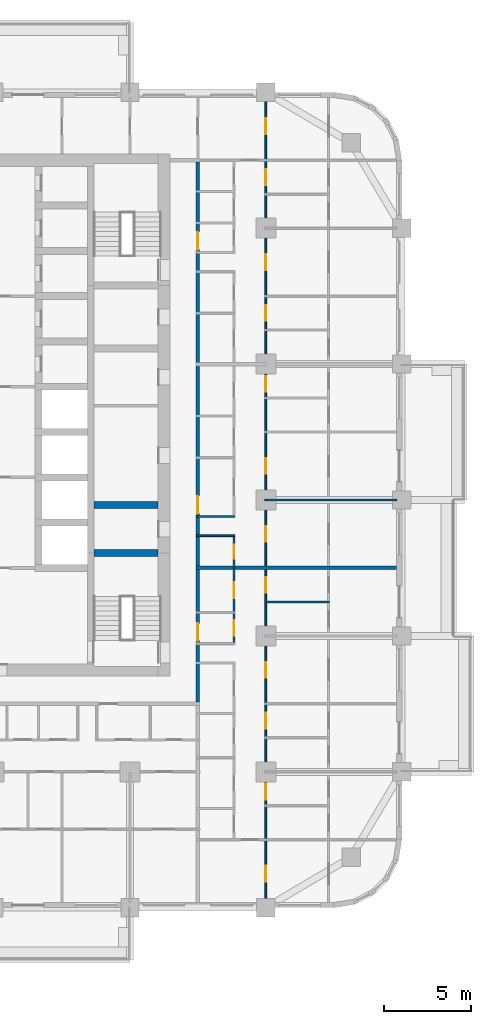
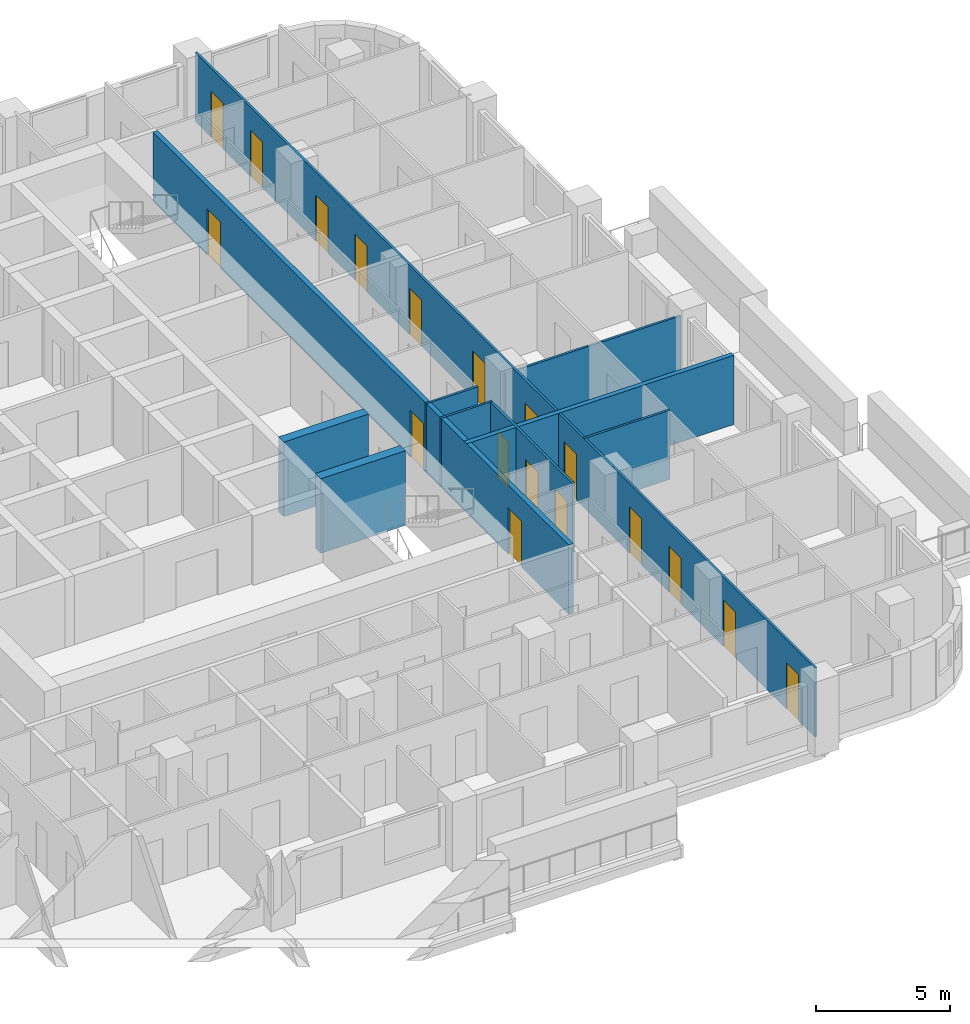
# One storey, part 8 of 17: 18 doors, 10 walls, 18 openings.
"""IFC4 building model written with IfcOpenShell, lengths in metres."""

import ifcopenshell
import ifcopenshell.guid

model = None  # the IFC model being written
_history = None  # IfcOwnerHistory: only IFC2X3 demands one
_inside = {}  # id of a spatial element -> (the spatial element, [elements in it])
_under = {}  # id of a project, library or spatial element -> (it, [spatial elements below it])
_declared = {}  # id of a project -> (the project, [libraries it declares])
_typed = {}  # id of a type object -> (the type object, [elements of that type])
_made_of = {}  # id of a material, layer set ... -> (it, [elements and type objects made of it])


def new_model(schema):
    """Start an empty IFC model of exactly this schema.

    Asked for "IFC4X3", IfcOpenShell would pick the latest addendum, in which some entities
    have other attributes; the version numbers below select the first issue.
    IFC2X3 requires an IfcOwnerHistory on every rooted entity: one is made here for all.
    """
    global model, _history
    if schema == "IFC4X3":
        model = ifcopenshell.file(schema_version=(4, 3, 0, 0))
    else:
        model = ifcopenshell.file(schema=schema)
    _inside.clear()
    _under.clear()
    _declared.clear()
    _typed.clear()
    _made_of.clear()
    _history = None
    if model.schema == "IFC2X3":
        org = make("IfcOrganization", Name="unknown")
        user = make(
            "IfcPersonAndOrganization",
            ThePerson=make("IfcPerson", FamilyName="unknown"),
            TheOrganization=org,
        )
        app = make(
            "IfcApplication",
            ApplicationDeveloper=org,
            Version="unknown",
            ApplicationFullName="unknown",
            ApplicationIdentifier="unknown",
        )
        _history = make(
            "IfcOwnerHistory",
            OwningUser=user,
            OwningApplication=app,
            ChangeAction="ADDED",
            CreationDate=0,
        )
    return model


def make(cls, **values):
    """One entity of the class cls with the attributes given. An attribute that is None is left unset."""
    return model.create_entity(
        cls, **{name: value for name, value in values.items() if value is not None}
    )


def rooted(cls, **values):
    """An entity with a GlobalId (a new one), such as an element, a storey or a relation."""
    return make(cls, GlobalId=ifcopenshell.guid.new(), OwnerHistory=_history, **values)


def si_unit(unit_type, name, prefix=None):
    """IfcSIUnit, for example si_unit("LENGTHUNIT", "METRE", prefix="MILLI")."""
    return make("IfcSIUnit", UnitType=unit_type, Prefix=prefix, Name=name)


def assignment(units):
    """IfcUnitAssignment: the units of a project."""
    return None if units is None else make("IfcUnitAssignment", Units=units)


def point(xyz):
    """IfcCartesianPoint."""
    return None if xyz is None else make("IfcCartesianPoint", Coordinates=xyz)


def direction(xyz):
    """IfcDirection."""
    return None if xyz is None else make("IfcDirection", DirectionRatios=xyz)


def frame(location, z_axis=None, x_axis=None):
    """IfcAxis2Placement3D, a coordinate frame: its origin and axes. An axis left out is left unset."""
    return make(
        "IfcAxis2Placement3D",
        Location=point(location),
        Axis=direction(z_axis),
        RefDirection=direction(x_axis),
    )


def frame_2d(location, x_axis=None):
    """IfcAxis2Placement2D, a coordinate frame in the plane: its origin and x axis."""
    return make(
        "IfcAxis2Placement2D", Location=point(location), RefDirection=direction(x_axis)
    )


def origin():
    """The frame at (0, 0, 0) with its axes left unset."""
    return frame((0.0, 0.0, 0.0))


def place(relative_to, where):
    """IfcLocalPlacement: puts the frame where relative to a parent placement (None: the world)."""
    return make(
        "IfcLocalPlacement", PlacementRelTo=relative_to, RelativePlacement=where
    )


def context(
    kind, dimensions, precision=None, world=None, true_north=None, identifier=None
):
    """IfcGeometricRepresentationContext, for example the 3D "Model" context."""
    return make(
        "IfcGeometricRepresentationContext",
        ContextIdentifier=identifier,
        ContextType=kind,
        CoordinateSpaceDimension=dimensions,
        Precision=precision,
        WorldCoordinateSystem=world,
        TrueNorth=true_north,
    )


def subcontext(parent, identifier, kind, view, scale=None):
    """IfcGeometricRepresentationSubContext, for example "Body" below "Model"."""
    return make(
        "IfcGeometricRepresentationSubContext",
        ContextIdentifier=identifier,
        ContextType=kind,
        ParentContext=parent,
        TargetScale=scale,
        TargetView=view,
    )


def project(units=None, contexts=None):
    """IfcProject with its units and contexts."""
    return rooted(
        "IfcProject",
        Name="project",
        RepresentationContexts=contexts,
        UnitsInContext=assignment(units),
    )


def spatial(cls, under=None, at=None, **own):
    """A site, building, storey or space (cls), placed at a placement, below another one or the project."""
    s = rooted(cls, ObjectPlacement=at, **own)
    if under is not None:
        _under.setdefault(under.id(), (under, []))[1].append(s)
    return s


def profile(cls, at=None, kind="AREA", **sizes):
    """A parametric profile (cls). Its sizes go by their IFC names, for example OverallWidth=200.0."""
    return make(cls, ProfileType=kind, Position=at, **sizes)


def rectangle(**sizes):
    """IfcRectangleProfileDef."""
    return profile("IfcRectangleProfileDef", **sizes)


def extrude(swept, where, along, depth):
    """IfcExtrudedAreaSolid: the profile swept, set in the frame where, extruded along a direction by depth."""
    return make(
        "IfcExtrudedAreaSolid",
        SweptArea=swept,
        Position=where,
        ExtrudedDirection=direction(along),
        Depth=depth,
    )


def shape(context_of_items, identifier, shape_type, items):
    """IfcShapeRepresentation: the items that make up one representation, for example the "Body"."""
    return make(
        "IfcShapeRepresentation",
        ContextOfItems=context_of_items,
        RepresentationIdentifier=identifier,
        RepresentationType=shape_type,
        Items=items,
    )


def material(Name=None, Category=None):
    """IfcMaterial."""
    return make("IfcMaterial", Name=Name, Category=Category)


def layer(
    of_material, thickness, ventilated=None, Name=None, Category=None, Priority=None
):
    """IfcMaterialLayer: one layer of a wall or slab, of a material (None: an air gap)."""
    return make(
        "IfcMaterialLayer",
        Material=of_material,
        LayerThickness=thickness,
        IsVentilated=ventilated,
        Name=Name,
        Category=Category,
        Priority=Priority,
    )


def layer_set(layers, Name=None):
    """IfcMaterialLayerSet."""
    return make("IfcMaterialLayerSet", MaterialLayers=layers, LayerSetName=Name)


def made_of(thing, what):
    """Note that an element or type object is made of a material, layer set ...; save() writes the relation."""
    if what is not None:
        _made_of.setdefault(what.id(), (what, []))[1].append(thing)
    return thing


def type_object(cls, material=None, **own):
    """A type object (cls), such as IfcWallType, which elements share."""
    return made_of(rooted(cls, **own), material)


def element(
    cls,
    number,
    at=None,
    inside=None,
    cuts=None,
    type_object=None,
    material=None,
    context=None,
    identifier="Body",
    shape_type=None,
    held_by="IfcProductDefinitionShape",
    body=None,
    shapes=None,
    **own,
):
    """One element of the class cls, such as IfcWall. Its Tag is "e" and its number.

    at: its placement. inside: the storey or other place that contains it. cuts: it is an
    opening in that element (IfcRelVoidsElement). A single representation is given by context,
    identifier, shape_type and body (its items); several are given by shapes. held_by: the class
    of the entity that holds the representations. save() writes the other relations.
    """
    e = rooted(cls, Tag="e%d" % number, ObjectPlacement=at, **own)
    if body is not None:
        shapes = [shape(context, identifier, shape_type, body)]
    if shapes is not None:
        e.Representation = make(held_by, Representations=shapes)
    if inside is not None:
        _inside.setdefault(inside.id(), (inside, []))[1].append(e)
    if cuts is not None:
        rooted(
            "IfcRelVoidsElement", RelatingBuildingElement=cuts, RelatedOpeningElement=e
        )
    if type_object is not None:
        _typed.setdefault(type_object.id(), (type_object, []))[1].append(e)
    return made_of(e, material)


def fill(opening, filler):
    """IfcRelFillsElement: the door or window that sits in an opening."""
    return rooted(
        "IfcRelFillsElement",
        RelatingOpeningElement=opening,
        RelatedBuildingElement=filler,
    )


def aggregate(whole, parts):
    """IfcRelAggregates: a whole, such as a stair, and the parts it consists of."""
    return rooted("IfcRelAggregates", RelatingObject=whole, RelatedObjects=parts)


def save(model, path):
    """Write the relations noted so far, then the file.

    IfcRelAggregates (storeys below a building ...), IfcRelContainedInSpatialStructure (elements
    in a storey), IfcRelDefinesByType, IfcRelAssociatesMaterial and IfcRelDeclares: one each for
    every whole, place, type object, material and project.
    """
    for whole, parts in _under.values():
        aggregate(whole, parts)
    for where, things in _inside.values():
        rooted(
            "IfcRelContainedInSpatialStructure",
            RelatedElements=things,
            RelatingStructure=where,
        )
    for kind, things in _typed.values():
        rooted("IfcRelDefinesByType", RelatedObjects=things, RelatingType=kind)
    for what, things in _made_of.values():
        rooted("IfcRelAssociatesMaterial", RelatedObjects=things, RelatingMaterial=what)
    for by, libraries in _declared.values():
        rooted("IfcRelDeclares", RelatingContext=by, RelatedDefinitions=libraries)
    model.write(path)


model = new_model("IFC4")

# Units and contexts
model_context = context("Model", 3, precision=1e-05, world=origin(), true_north=direction((0.0, 1.0)))
body_context = subcontext(model_context, "Body", "Model", "MODEL_VIEW")
ifc_project = project(units=[si_unit("LENGTHUNIT", "METRE"), si_unit("AREAUNIT", "SQUARE_METRE"), si_unit("VOLUMEUNIT", "CUBIC_METRE"), si_unit("PLANEANGLEUNIT", "RADIAN"), si_unit("MASSUNIT", "GRAM", prefix="KILO")], contexts=[model_context])

# Site, building, storey
site_placement = place(None, origin())
site = spatial("IfcSite", under=ifc_project, at=site_placement, CompositionType="ELEMENT")
building_placement = place(site_placement, origin())
building = spatial("IfcBuilding", under=site, at=building_placement, Name="Ludao Terraces", CompositionType="ELEMENT")
storey_placement = place(building_placement, frame((0.0, 0.0, 54.60009765625)))
storey = spatial("IfcBuildingStorey", under=building, at=storey_placement, Name="L14", CompositionType="ELEMENT", Elevation=54.60009765625)

# Wall, openings, doors
ifc_material_1 = material(Name="Autoclaved aerated concrete block B06 A3.5", Category="concrete")
ifc_layer_1 = layer(ifc_material_1, 0.199951171875)
ifc_layer_set_1 = layer_set([ifc_layer_1], Name="INT Entrance wall 200")
wall_type_1 = type_object("IfcWallType", Name="INT Entrance wall 200", PredefinedType="PARTITIONING", material=ifc_layer_set_1)
wall_1_placement = place(storey_placement, frame((96.699951171875, 53.400146484375, 0.0), z_axis=(0.0, 0.0, 1.0), x_axis=(0.0, 1.0, 0.0)))
wall_1 = element("IfcWall", 1, at=wall_1_placement, inside=storey, type_object=wall_type_1, Name="PW-L14-PW114", PredefinedType="PARTITIONING", context=body_context, shape_type="SweptSolid", body=[
    extrude(rectangle(XDim=31.0, YDim=0.199951171875, at=frame_2d((15.5, 0.0))), origin(), (0.0, 0.0, 1.0), 3.14990234375),
])
opening_1_placement = place(wall_1_placement, frame((3.52490234375, 0.0, 0.0)))
opening_1 = element("IfcOpeningElement", 2, at=opening_1_placement, cuts=wall_1, Name="Opening R04-061", PredefinedType="OPENING", context=body_context, shape_type="SweptSolid", body=[
    extrude(rectangle(XDim=1.0, YDim=2.10009765625, at=frame_2d((0.5, 1.050048828125))), frame((0.0, 0.10986328125, 0.0), z_axis=(0.0, -1.0, 0.0), x_axis=(1.0, 0.0, 0.0)), (0.0, 0.0, 1.0), 0.219970703125),
])
opening_2_placement = place(wall_1_placement, frame((10.824951171875, 0.0, 0.0)))
opening_2 = element("IfcOpeningElement", 3, at=opening_2_placement, cuts=wall_1, Name="Opening R04-082", PredefinedType="OPENING", context=body_context, shape_type="SweptSolid", body=[
    extrude(rectangle(XDim=1.0, YDim=2.10009765625, at=frame_2d((0.5, 1.050048828125))), frame((0.0, 0.10986328125, 0.0), z_axis=(0.0, -1.0, 0.0), x_axis=(1.0, 0.0, 0.0)), (0.0, 0.0, 1.0), 0.219970703125),
])
opening_3_placement = place(wall_1_placement, frame((25.97509765625, 0.0, 0.0)))
opening_3 = element("IfcOpeningElement", 4, at=opening_3_placement, cuts=wall_1, Name="Opening R04-137", PredefinedType="OPENING", context=body_context, shape_type="SweptSolid", body=[
    extrude(rectangle(XDim=1.0, YDim=2.10009765625, at=frame_2d((0.5, 1.050048828125))), frame((0.0, 0.10986328125, 0.0), z_axis=(0.0, -1.0, 0.0), x_axis=(1.0, 0.0, 0.0)), (0.0, 0.0, 1.0), 0.219970703125),
])
ifc_material_2 = material(Name="Steel Q235", Category="steel")
door_type_1 = type_object("IfcDoorType", Name="INT Flat entrance door 1000", OperationType="SINGLE_SWING_LEFT", PredefinedType="DOOR", material=ifc_material_2)
door_1_placement = place(opening_1_placement, origin())
door_1 = element("IfcDoor", 5, at=door_1_placement, inside=storey, type_object=door_type_1, Name="DOOR 061", OperationType="SINGLE_SWING_LEFT", OverallHeight=2.10009765625, OverallWidth=1.0, PredefinedType="DOOR", context=body_context, shape_type="SweptSolid", body=[
    extrude(rectangle(XDim=1.0, YDim=2.10009765625, at=frame_2d((0.5, 1.050048828125))), frame((0.0, 0.02490234375, 0.0), z_axis=(0.0, -1.0, 0.0), x_axis=(1.0, 0.0, 0.0)), (0.0, 0.0, 1.0), 0.050048828125),
])
fill(opening_1, door_1)
door_2_placement = place(opening_2_placement, origin())
door_2 = element("IfcDoor", 6, at=door_2_placement, inside=storey, type_object=door_type_1, Name="DOOR 082", OperationType="SINGLE_SWING_LEFT", OverallHeight=2.10009765625, OverallWidth=1.0, PredefinedType="DOOR", context=body_context, shape_type="SweptSolid", body=[
    extrude(rectangle(XDim=1.0, YDim=2.10009765625, at=frame_2d((0.5, 1.050048828125))), frame((0.0, 0.02490234375, 0.0), z_axis=(0.0, -1.0, 0.0), x_axis=(1.0, 0.0, 0.0)), (0.0, 0.0, 1.0), 0.050048828125),
])
fill(opening_2, door_2)
door_3_placement = place(opening_3_placement, origin())
door_3 = element("IfcDoor", 7, at=door_3_placement, inside=storey, type_object=door_type_1, Name="DOOR 137", OperationType="SINGLE_SWING_LEFT", OverallHeight=2.10009765625, OverallWidth=1.0, PredefinedType="DOOR", context=body_context, shape_type="SweptSolid", body=[
    extrude(rectangle(XDim=1.0, YDim=2.10009765625, at=frame_2d((0.5, 1.050048828125))), frame((0.0, 0.02490234375, 0.0), z_axis=(0.0, -1.0, 0.0), x_axis=(1.0, 0.0, 0.0)), (0.0, 0.0, 1.0), 0.050048828125),
])
fill(opening_3, door_3)

# Walls
ifc_material_3 = material(Name="Gypsum plasterboard", Category="gypsum")
ifc_layer_2 = layer(ifc_material_3, 0.012451171875, Category="gypsum")
ifc_material_4 = material(Name="Mineral wool")
ifc_layer_3 = layer(ifc_material_4, 0.06005859375, Name="insulation")
ifc_layer_4 = layer(ifc_material_2, 0.014892578125, Name="stud")
ifc_layer_5 = layer(ifc_material_3, 0.012451171875, Category="gypsum")
ifc_layer_set_2 = layer_set([ifc_layer_2, ifc_layer_3, ifc_layer_4, ifc_layer_5], Name="INT Partition 100")
wall_type_2 = type_object("IfcWallType", Name="INT Partition 100", PredefinedType="PARTITIONING", material=ifc_layer_set_2)
wall_2_placement = place(storey_placement, frame((100.550048828125, 59.14990234375, 0.0), z_axis=(0.0, 0.0, 1.0), x_axis=(1.0, 0.0, 0.0)))
element("IfcWall", 8, at=wall_2_placement, inside=storey, type_object=wall_type_2, Name="PW-L14-PW031", PredefinedType="PARTITIONING", context=body_context, shape_type="SweptSolid", body=[
    extrude(rectangle(XDim=3.699951171875, YDim=0.10009765625, at=frame_2d((1.85009765625, 0.0))), origin(), (0.0, 0.0, 1.0), 3.14990234375),
])
for number, where, z_axis, x_axis, name in (
    (9, (96.60009765625, 62.949951171875, 0.0), (0.0, 0.0, 1.0), (1.0, 0.0, 0.0), "PW-L14-PW036"),
    (10, (96.60009765625, 64.050048828125, 0.0), (0.0, 0.0, 1.0), (1.0, 0.0, 0.0), "PW-L14-PW037"),
):
    element("IfcWall", number, at=place(storey_placement, frame(where, z_axis=z_axis, x_axis=x_axis)), inside=storey, type_object=wall_type_2, Name=name, PredefinedType="PARTITIONING", context=body_context, shape_type="SweptSolid", body=[
        extrude(rectangle(XDim=2.219970703125, YDim=0.10009765625, at=frame_2d((1.10986328125, 0.0))), origin(), (0.0, 0.0, 1.0), 3.14990234375),
    ])
wall_3_placement = place(storey_placement, frame((100.550048828125, 65.0, 0.0), z_axis=(0.0, 0.0, 1.0), x_axis=(1.0, 0.0, 0.0)))
element("IfcWall", 11, at=wall_3_placement, inside=storey, type_object=wall_type_2, Name="PW-L14-PW040", PredefinedType="PARTITIONING", context=body_context, shape_type="SweptSolid", body=[
    extrude(rectangle(XDim=7.550048828125, YDim=0.10009765625, at=frame_2d((3.77490234375, 0.0))), origin(), (0.0, 0.0, 1.0), 2.5498046875),
])

# Wall, openings, doors
wall_4_placement = place(storey_placement, frame((98.77001953125, 56.800048828125, 0.0), z_axis=(0.0, 0.0, 1.0), x_axis=(0.0, 1.0, 0.0)))
wall_4 = element("IfcWall", 12, at=wall_4_placement, inside=storey, type_object=wall_type_2, Name="PW-L14-PW117", PredefinedType="PARTITIONING", context=body_context, shape_type="SweptSolid", body=[
    extrude(rectangle(XDim=6.10009765625, YDim=0.10009765625, at=frame_2d((3.050048828125, 0.0))), origin(), (0.0, 0.0, 1.0), 3.14990234375),
])
opening_4_placement = place(wall_4_placement, frame((0.39990234375, 0.0, 0.0)))
opening_4 = element("IfcOpeningElement", 13, at=opening_4_placement, cuts=wall_4, Name="Opening R04-062", PredefinedType="OPENING", context=body_context, shape_type="SweptSolid", body=[
    extrude(rectangle(XDim=0.89990234375, YDim=2.10009765625, at=frame_2d((0.449951171875, 1.050048828125))), frame((0.0, 0.06005859375, 0.0), z_axis=(0.0, -1.0, 0.0), x_axis=(1.0, 0.0, 0.0)), (0.0, 0.0, 1.0), 0.1201171875),
])
opening_5_placement = place(wall_4_placement, frame((2.574951171875, 0.0, 0.0)))
opening_5 = element("IfcOpeningElement", 14, at=opening_5_placement, cuts=wall_4, Name="Opening R04-066", PredefinedType="OPENING", context=body_context, shape_type="SweptSolid", body=[
    extrude(rectangle(XDim=0.89990234375, YDim=2.10009765625, at=frame_2d((0.449951171875, 1.050048828125))), frame((0.0, 0.06005859375, 0.0), z_axis=(0.0, -1.0, 0.0), x_axis=(1.0, 0.0, 0.0)), (0.0, 0.0, 1.0), 0.1201171875),
])
opening_6_placement = place(wall_4_placement, frame((4.824951171875, 0.0, 0.0)))
opening_6 = element("IfcOpeningElement", 15, at=opening_6_placement, cuts=wall_4, Name="Opening R04-073", PredefinedType="OPENING", context=body_context, shape_type="SweptSolid", body=[
    extrude(rectangle(XDim=0.800048828125, YDim=2.10009765625, at=frame_2d((0.39990234375, 1.050048828125))), frame((0.0, 0.06005859375, 0.0), z_axis=(0.0, -1.0, 0.0), x_axis=(1.0, 0.0, 0.0)), (0.0, 0.0, 1.0), 0.1201171875),
])
ifc_material_5 = material(Name="Timber door leaf", Category="wood")
door_type_2 = type_object("IfcDoorType", Name="INT Bathroom door 900", OperationType="SINGLE_SWING_LEFT", PredefinedType="DOOR", material=ifc_material_5)
door_4_placement = place(opening_4_placement, origin())
door_4 = element("IfcDoor", 16, at=door_4_placement, inside=storey, type_object=door_type_2, Name="DOOR 062", OperationType="SINGLE_SWING_LEFT", OverallHeight=2.10009765625, OverallWidth=0.89990234375, PredefinedType="DOOR", context=body_context, shape_type="SweptSolid", body=[
    extrude(rectangle(XDim=0.89990234375, YDim=2.10009765625, at=frame_2d((0.449951171875, 1.050048828125))), frame((0.0, 0.02490234375, 0.0), z_axis=(0.0, -1.0, 0.0), x_axis=(1.0, 0.0, 0.0)), (0.0, 0.0, 1.0), 0.050048828125),
])
fill(opening_4, door_4)
door_type_3 = type_object("IfcDoorType", Name="INT Room door 900", OperationType="SINGLE_SWING_LEFT", PredefinedType="DOOR", material=ifc_material_5)
door_5_placement = place(opening_5_placement, origin())
door_5 = element("IfcDoor", 17, at=door_5_placement, inside=storey, type_object=door_type_3, Name="DOOR 066", OperationType="SINGLE_SWING_RIGHT", OverallHeight=2.10009765625, OverallWidth=0.89990234375, PredefinedType="DOOR", context=body_context, shape_type="SweptSolid", body=[
    extrude(rectangle(XDim=0.89990234375, YDim=2.10009765625, at=frame_2d((0.449951171875, 1.050048828125))), frame((0.0, 0.02490234375, 0.0), z_axis=(0.0, -1.0, 0.0), x_axis=(1.0, 0.0, 0.0)), (0.0, 0.0, 1.0), 0.050048828125),
])
fill(opening_5, door_5)
door_type_4 = type_object("IfcDoorType", Name="INT Store door 800", OperationType="SINGLE_SWING_LEFT", PredefinedType="DOOR", material=ifc_material_5)
door_6_placement = place(opening_6_placement, origin())
door_6 = element("IfcDoor", 18, at=door_6_placement, inside=storey, type_object=door_type_4, Name="DOOR 073", OperationType="SINGLE_SWING_LEFT", OverallHeight=2.10009765625, OverallWidth=0.800048828125, PredefinedType="DOOR", context=body_context, shape_type="SweptSolid", body=[
    extrude(rectangle(XDim=0.800048828125, YDim=2.10009765625, at=frame_2d((0.39990234375, 1.050048828125))), frame((0.0, 0.02490234375, 0.0), z_axis=(0.0, -1.0, 0.0), x_axis=(1.0, 0.0, 0.0)), (0.0, 0.0, 1.0), 0.050048828125),
])
fill(opening_6, door_6)

wall_5_placement = place(storey_placement, frame((100.60009765625, 41.900146484375, 0.0), z_axis=(0.0, 0.0, 1.0), x_axis=(0.0, 1.0, 0.0)))
wall_5 = element("IfcWall", 19, at=wall_5_placement, inside=storey, type_object=wall_type_2, Name="PW-L14-PW120", PredefinedType="PARTITIONING", context=body_context, shape_type="SweptSolid", body=[
    extrude(rectangle(XDim=46.199951171875, YDim=0.10009765625, at=frame_2d((23.10009765625, 0.0))), origin(), (0.0, 0.0, 1.0), 3.14990234375),
])
opening_7_placement = place(wall_5_placement, frame((1.199951171875, 0.0, 0.0)))
opening_7 = element("IfcOpeningElement", 20, at=opening_7_placement, cuts=wall_5, Name="Opening R04-003", PredefinedType="OPENING", context=body_context, shape_type="SweptSolid", body=[
    extrude(rectangle(XDim=0.89990234375, YDim=2.10009765625, at=frame_2d((0.449951171875, 1.050048828125))), frame((0.0, 0.06005859375, 0.0), z_axis=(0.0, -1.0, 0.0), x_axis=(1.0, 0.0, 0.0)), (0.0, 0.0, 1.0), 0.1201171875),
])
opening_8_placement = place(wall_5_placement, frame((5.89990234375, 0.0, 0.0)))
opening_8 = element("IfcOpeningElement", 21, at=opening_8_placement, cuts=wall_5, Name="Opening R04-021", PredefinedType="OPENING", context=body_context, shape_type="SweptSolid", body=[
    extrude(rectangle(XDim=0.89990234375, YDim=2.10009765625, at=frame_2d((0.449951171875, 1.050048828125))), frame((0.0, 0.06005859375, 0.0), z_axis=(0.0, -1.0, 0.0), x_axis=(1.0, 0.0, 0.0)), (0.0, 0.0, 1.0), 0.1201171875),
])
opening_9_placement = place(wall_5_placement, frame((9.97509765625, 0.0, 0.0)))
opening_9 = element("IfcOpeningElement", 22, at=opening_9_placement, cuts=wall_5, Name="Opening R04-047", PredefinedType="OPENING", context=body_context, shape_type="SweptSolid", body=[
    extrude(rectangle(XDim=0.89990234375, YDim=2.10009765625, at=frame_2d((0.449951171875, 1.050048828125))), frame((0.0, 0.06005859375, 0.0), z_axis=(0.0, -1.0, 0.0), x_axis=(1.0, 0.0, 0.0)), (0.0, 0.0, 1.0), 0.1201171875),
])
opening_10_placement = place(wall_5_placement, frame((12.89990234375, 0.0, 0.0)))
opening_10 = element("IfcOpeningElement", 23, at=opening_10_placement, cuts=wall_5, Name="Opening R04-056", PredefinedType="OPENING", context=body_context, shape_type="SweptSolid", body=[
    extrude(rectangle(XDim=0.89990234375, YDim=2.10009765625, at=frame_2d((0.449951171875, 1.050048828125))), frame((0.0, 0.06005859375, 0.0), z_axis=(0.0, -1.0, 0.0), x_axis=(1.0, 0.0, 0.0)), (0.0, 0.0, 1.0), 0.1201171875),
])
opening_11_placement = place(wall_5_placement, frame((17.77490234375, 0.0, 0.0)))
opening_11 = element("IfcOpeningElement", 24, at=opening_11_placement, cuts=wall_5, Name="Opening R04-069", PredefinedType="OPENING", context=body_context, shape_type="SweptSolid", body=[
    extrude(rectangle(XDim=0.89990234375, YDim=2.10009765625, at=frame_2d((0.449951171875, 1.050048828125))), frame((0.0, 0.06005859375, 0.0), z_axis=(0.0, -1.0, 0.0), x_axis=(1.0, 0.0, 0.0)), (0.0, 0.0, 1.0), 0.1201171875),
])
opening_12_placement = place(wall_5_placement, frame((20.699951171875, 0.0, 0.0)))
opening_12 = element("IfcOpeningElement", 25, at=opening_12_placement, cuts=wall_5, Name="Opening R04-079", PredefinedType="OPENING", context=body_context, shape_type="SweptSolid", body=[
    extrude(rectangle(XDim=0.89990234375, YDim=2.10009765625, at=frame_2d((0.449951171875, 1.050048828125))), frame((0.0, 0.06005859375, 0.0), z_axis=(0.0, -1.0, 0.0), x_axis=(1.0, 0.0, 0.0)), (0.0, 0.0, 1.0), 0.1201171875),
])
opening_13_placement = place(wall_5_placement, frame((24.60009765625, 0.0, 0.0)))
opening_13 = element("IfcOpeningElement", 26, at=opening_13_placement, cuts=wall_5, Name="Opening R04-088", PredefinedType="OPENING", context=body_context, shape_type="SweptSolid", body=[
    extrude(rectangle(XDim=0.89990234375, YDim=2.10009765625, at=frame_2d((0.449951171875, 1.050048828125))), frame((0.0, 0.06005859375, 0.0), z_axis=(0.0, -1.0, 0.0), x_axis=(1.0, 0.0, 0.0)), (0.0, 0.0, 1.0), 0.1201171875),
])
opening_14_placement = place(wall_5_placement, frame((29.300048828125, 0.0, 0.0)))
opening_14 = element("IfcOpeningElement", 27, at=opening_14_placement, cuts=wall_5, Name="Opening R04-104", PredefinedType="OPENING", context=body_context, shape_type="SweptSolid", body=[
    extrude(rectangle(XDim=0.89990234375, YDim=2.10009765625, at=frame_2d((0.449951171875, 1.050048828125))), frame((0.0, 0.06005859375, 0.0), z_axis=(0.0, -1.0, 0.0), x_axis=(1.0, 0.0, 0.0)), (0.0, 0.0, 1.0), 0.1201171875),
])
opening_15_placement = place(wall_5_placement, frame((33.375, 0.0, 0.0)))
opening_15 = element("IfcOpeningElement", 28, at=opening_15_placement, cuts=wall_5, Name="Opening R04-122", PredefinedType="OPENING", context=body_context, shape_type="SweptSolid", body=[
    extrude(rectangle(XDim=0.89990234375, YDim=2.10009765625, at=frame_2d((0.449951171875, 1.050048828125))), frame((0.0, 0.06005859375, 0.0), z_axis=(0.0, -1.0, 0.0), x_axis=(1.0, 0.0, 0.0)), (0.0, 0.0, 1.0), 0.1201171875),
])
opening_16_placement = place(wall_5_placement, frame((36.300048828125, 0.0, 0.0)))
opening_16 = element("IfcOpeningElement", 29, at=opening_16_placement, cuts=wall_5, Name="Opening R04-133", PredefinedType="OPENING", context=body_context, shape_type="SweptSolid", body=[
    extrude(rectangle(XDim=0.89990234375, YDim=2.10009765625, at=frame_2d((0.449951171875, 1.050048828125))), frame((0.0, 0.06005859375, 0.0), z_axis=(0.0, -1.0, 0.0), x_axis=(1.0, 0.0, 0.0)), (0.0, 0.0, 1.0), 0.1201171875),
])
opening_17_placement = place(wall_5_placement, frame((41.175048828125, 0.0, 0.0)))
opening_17 = element("IfcOpeningElement", 30, at=opening_17_placement, cuts=wall_5, Name="Opening R04-150", PredefinedType="OPENING", context=body_context, shape_type="SweptSolid", body=[
    extrude(rectangle(XDim=0.89990234375, YDim=2.10009765625, at=frame_2d((0.449951171875, 1.050048828125))), frame((0.0, 0.06005859375, 0.0), z_axis=(0.0, -1.0, 0.0), x_axis=(1.0, 0.0, 0.0)), (0.0, 0.0, 1.0), 0.1201171875),
])
opening_18_placement = place(wall_5_placement, frame((44.10009765625, 0.0, 0.0)))
opening_18 = element("IfcOpeningElement", 31, at=opening_18_placement, cuts=wall_5, Name="Opening R04-163", PredefinedType="OPENING", context=body_context, shape_type="SweptSolid", body=[
    extrude(rectangle(XDim=0.89990234375, YDim=2.10009765625, at=frame_2d((0.449951171875, 1.050048828125))), frame((0.0, 0.06005859375, 0.0), z_axis=(0.0, -1.0, 0.0), x_axis=(1.0, 0.0, 0.0)), (0.0, 0.0, 1.0), 0.1201171875),
])
door_7_placement = place(opening_7_placement, origin())
door_7 = element("IfcDoor", 32, at=door_7_placement, inside=storey, type_object=door_type_3, Name="DOOR 003", OperationType="SINGLE_SWING_RIGHT", OverallHeight=2.10009765625, OverallWidth=0.89990234375, PredefinedType="DOOR", context=body_context, shape_type="SweptSolid", body=[
    extrude(rectangle(XDim=0.89990234375, YDim=2.10009765625, at=frame_2d((0.449951171875, 1.050048828125))), frame((0.0, 0.02490234375, 0.0), z_axis=(0.0, -1.0, 0.0), x_axis=(1.0, 0.0, 0.0)), (0.0, 0.0, 1.0), 0.050048828125),
])
fill(opening_7, door_7)
door_8_placement = place(opening_8_placement, origin())
door_8 = element("IfcDoor", 33, at=door_8_placement, inside=storey, type_object=door_type_3, Name="DOOR 021", OperationType="SINGLE_SWING_RIGHT", OverallHeight=2.10009765625, OverallWidth=0.89990234375, PredefinedType="DOOR", context=body_context, shape_type="SweptSolid", body=[
    extrude(rectangle(XDim=0.89990234375, YDim=2.10009765625, at=frame_2d((0.449951171875, 1.050048828125))), frame((0.0, 0.02490234375, 0.0), z_axis=(0.0, -1.0, 0.0), x_axis=(1.0, 0.0, 0.0)), (0.0, 0.0, 1.0), 0.050048828125),
])
fill(opening_8, door_8)
door_9_placement = place(opening_9_placement, origin())
door_9 = element("IfcDoor", 34, at=door_9_placement, inside=storey, type_object=door_type_3, Name="DOOR 047", OperationType="SINGLE_SWING_LEFT", OverallHeight=2.10009765625, OverallWidth=0.89990234375, PredefinedType="DOOR", context=body_context, shape_type="SweptSolid", body=[
    extrude(rectangle(XDim=0.89990234375, YDim=2.10009765625, at=frame_2d((0.449951171875, 1.050048828125))), frame((0.0, 0.02490234375, 0.0), z_axis=(0.0, -1.0, 0.0), x_axis=(1.0, 0.0, 0.0)), (0.0, 0.0, 1.0), 0.050048828125),
])
fill(opening_9, door_9)
door_10_placement = place(opening_10_placement, origin())
door_10 = element("IfcDoor", 35, at=door_10_placement, inside=storey, type_object=door_type_3, Name="DOOR 056", OperationType="SINGLE_SWING_LEFT", OverallHeight=2.10009765625, OverallWidth=0.89990234375, PredefinedType="DOOR", context=body_context, shape_type="SweptSolid", body=[
    extrude(rectangle(XDim=0.89990234375, YDim=2.10009765625, at=frame_2d((0.449951171875, 1.050048828125))), frame((0.0, 0.02490234375, 0.0), z_axis=(0.0, -1.0, 0.0), x_axis=(1.0, 0.0, 0.0)), (0.0, 0.0, 1.0), 0.050048828125),
])
fill(opening_10, door_10)
door_11_placement = place(opening_11_placement, origin())
door_11 = element("IfcDoor", 36, at=door_11_placement, inside=storey, type_object=door_type_3, Name="DOOR 069", OperationType="SINGLE_SWING_RIGHT", OverallHeight=2.10009765625, OverallWidth=0.89990234375, PredefinedType="DOOR", context=body_context, shape_type="SweptSolid", body=[
    extrude(rectangle(XDim=0.89990234375, YDim=2.10009765625, at=frame_2d((0.449951171875, 1.050048828125))), frame((0.0, 0.02490234375, 0.0), z_axis=(0.0, -1.0, 0.0), x_axis=(1.0, 0.0, 0.0)), (0.0, 0.0, 1.0), 0.050048828125),
])
fill(opening_11, door_11)
door_12_placement = place(opening_12_placement, origin())
door_12 = element("IfcDoor", 37, at=door_12_placement, inside=storey, type_object=door_type_3, Name="DOOR 079", OperationType="SINGLE_SWING_LEFT", OverallHeight=2.10009765625, OverallWidth=0.89990234375, PredefinedType="DOOR", context=body_context, shape_type="SweptSolid", body=[
    extrude(rectangle(XDim=0.89990234375, YDim=2.10009765625, at=frame_2d((0.449951171875, 1.050048828125))), frame((0.0, 0.02490234375, 0.0), z_axis=(0.0, -1.0, 0.0), x_axis=(1.0, 0.0, 0.0)), (0.0, 0.0, 1.0), 0.050048828125),
])
fill(opening_12, door_12)
door_13_placement = place(opening_13_placement, origin())
door_13 = element("IfcDoor", 38, at=door_13_placement, inside=storey, type_object=door_type_3, Name="DOOR 088", OperationType="SINGLE_SWING_RIGHT", OverallHeight=2.10009765625, OverallWidth=0.89990234375, PredefinedType="DOOR", context=body_context, shape_type="SweptSolid", body=[
    extrude(rectangle(XDim=0.89990234375, YDim=2.10009765625, at=frame_2d((0.449951171875, 1.050048828125))), frame((0.0, 0.02490234375, 0.0), z_axis=(0.0, -1.0, 0.0), x_axis=(1.0, 0.0, 0.0)), (0.0, 0.0, 1.0), 0.050048828125),
])
fill(opening_13, door_13)
door_14_placement = place(opening_14_placement, origin())
door_14 = element("IfcDoor", 39, at=door_14_placement, inside=storey, type_object=door_type_3, Name="DOOR 104", OperationType="SINGLE_SWING_RIGHT", OverallHeight=2.10009765625, OverallWidth=0.89990234375, PredefinedType="DOOR", context=body_context, shape_type="SweptSolid", body=[
    extrude(rectangle(XDim=0.89990234375, YDim=2.10009765625, at=frame_2d((0.449951171875, 1.050048828125))), frame((0.0, 0.02490234375, 0.0), z_axis=(0.0, -1.0, 0.0), x_axis=(1.0, 0.0, 0.0)), (0.0, 0.0, 1.0), 0.050048828125),
])
fill(opening_14, door_14)
door_15_placement = place(opening_15_placement, origin())
door_15 = element("IfcDoor", 40, at=door_15_placement, inside=storey, type_object=door_type_3, Name="DOOR 122", OperationType="SINGLE_SWING_RIGHT", OverallHeight=2.10009765625, OverallWidth=0.89990234375, PredefinedType="DOOR", context=body_context, shape_type="SweptSolid", body=[
    extrude(rectangle(XDim=0.89990234375, YDim=2.10009765625, at=frame_2d((0.449951171875, 1.050048828125))), frame((0.0, 0.02490234375, 0.0), z_axis=(0.0, -1.0, 0.0), x_axis=(1.0, 0.0, 0.0)), (0.0, 0.0, 1.0), 0.050048828125),
])
fill(opening_15, door_15)
door_16_placement = place(opening_16_placement, origin())
door_16 = element("IfcDoor", 41, at=door_16_placement, inside=storey, type_object=door_type_3, Name="DOOR 133", OperationType="SINGLE_SWING_LEFT", OverallHeight=2.10009765625, OverallWidth=0.89990234375, PredefinedType="DOOR", context=body_context, shape_type="SweptSolid", body=[
    extrude(rectangle(XDim=0.89990234375, YDim=2.10009765625, at=frame_2d((0.449951171875, 1.050048828125))), frame((0.0, 0.02490234375, 0.0), z_axis=(0.0, -1.0, 0.0), x_axis=(1.0, 0.0, 0.0)), (0.0, 0.0, 1.0), 0.050048828125),
])
fill(opening_16, door_16)
door_17_placement = place(opening_17_placement, origin())
door_17 = element("IfcDoor", 42, at=door_17_placement, inside=storey, type_object=door_type_3, Name="DOOR 150", OperationType="SINGLE_SWING_RIGHT", OverallHeight=2.10009765625, OverallWidth=0.89990234375, PredefinedType="DOOR", context=body_context, shape_type="SweptSolid", body=[
    extrude(rectangle(XDim=0.89990234375, YDim=2.10009765625, at=frame_2d((0.449951171875, 1.050048828125))), frame((0.0, 0.02490234375, 0.0), z_axis=(0.0, -1.0, 0.0), x_axis=(1.0, 0.0, 0.0)), (0.0, 0.0, 1.0), 0.050048828125),
])
fill(opening_17, door_17)
door_18_placement = place(opening_18_placement, origin())
door_18 = element("IfcDoor", 43, at=door_18_placement, inside=storey, type_object=door_type_3, Name="DOOR 163", OperationType="SINGLE_SWING_LEFT", OverallHeight=2.10009765625, OverallWidth=0.89990234375, PredefinedType="DOOR", context=body_context, shape_type="SweptSolid", body=[
    extrude(rectangle(XDim=0.89990234375, YDim=2.10009765625, at=frame_2d((0.449951171875, 1.050048828125))), frame((0.0, 0.02490234375, 0.0), z_axis=(0.0, -1.0, 0.0), x_axis=(1.0, 0.0, 0.0)), (0.0, 0.0, 1.0), 0.050048828125),
])
fill(opening_18, door_18)

# Walls
ifc_layer_6 = layer(ifc_material_1, 0.199951171875)
ifc_layer_set_3 = layer_set([ifc_layer_6], Name="INT Party wall 200")
wall_type_3 = type_object("IfcWallType", Name="INT Party wall 200", PredefinedType="PARTITIONING", material=ifc_layer_set_3)
wall_6_placement = place(storey_placement, frame((96.60009765625, 61.10009765625, 0.0), z_axis=(0.0, 0.0, 1.0), x_axis=(1.0, 0.0, 0.0)))
element("IfcWall", 44, at=wall_6_placement, inside=storey, type_object=wall_type_3, Name="PW-L14-PW035", PredefinedType="PARTITIONING", context=body_context, shape_type="SweptSolid", body=[
    extrude(rectangle(XDim=11.5, YDim=0.199951171875, at=frame_2d((5.75, 0.0))), origin(), (0.0, 0.0, 1.0), 3.14990234375),
])
ifc_material_6 = material(Name="Concrete C60", Category="concrete")
ifc_layer_7 = layer(ifc_material_6, 0.39990234375)
ifc_layer_set_4 = layer_set([ifc_layer_7], Name="Shaft wall 400 C60")
wall_type_4 = type_object("IfcWallType", Name="Shaft wall 400 C60", PredefinedType="SOLIDWALL", material=ifc_layer_set_4)
for number, where, z_axis, x_axis, name in (
    (45, (90.75, 61.949951171875, -0.25), (0.0, 0.0, 1.0), (1.0, 0.0, 0.0), "Core wall L14 hall-E"),
    (46, (90.75, 64.699951171875, -0.25), (0.0, 0.0, 1.0), (1.0, 0.0, 0.0), "Core wall L14 riser-a-E"),
):
    element("IfcWall", number, at=place(storey_placement, frame(where, z_axis=z_axis, x_axis=x_axis)), inside=storey, type_object=wall_type_4, Name=name, PredefinedType="SOLIDWALL", context=body_context, shape_type="SweptSolid", body=[
        extrude(rectangle(XDim=3.64990234375, YDim=0.39990234375, at=frame_2d((1.824951171875, 0.0))), origin(), (0.0, 0.0, 1.0), 3.39990234375),
    ])

save(model, "model.ifc")
